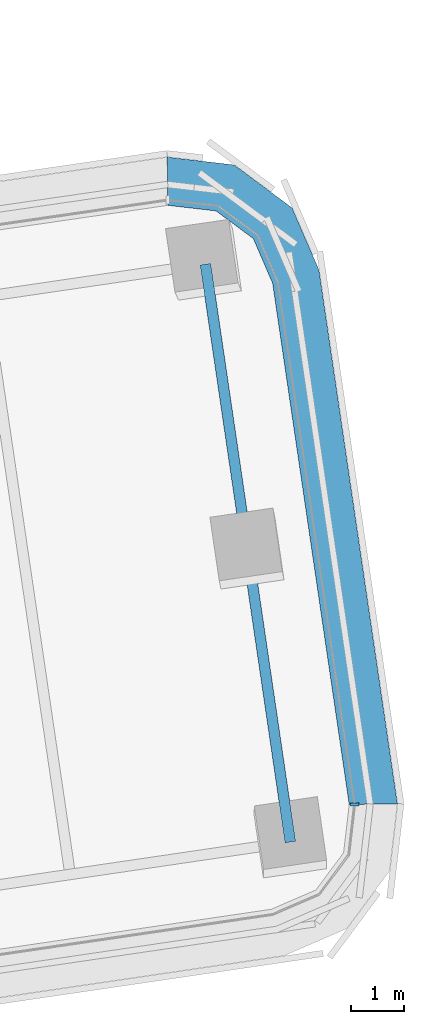
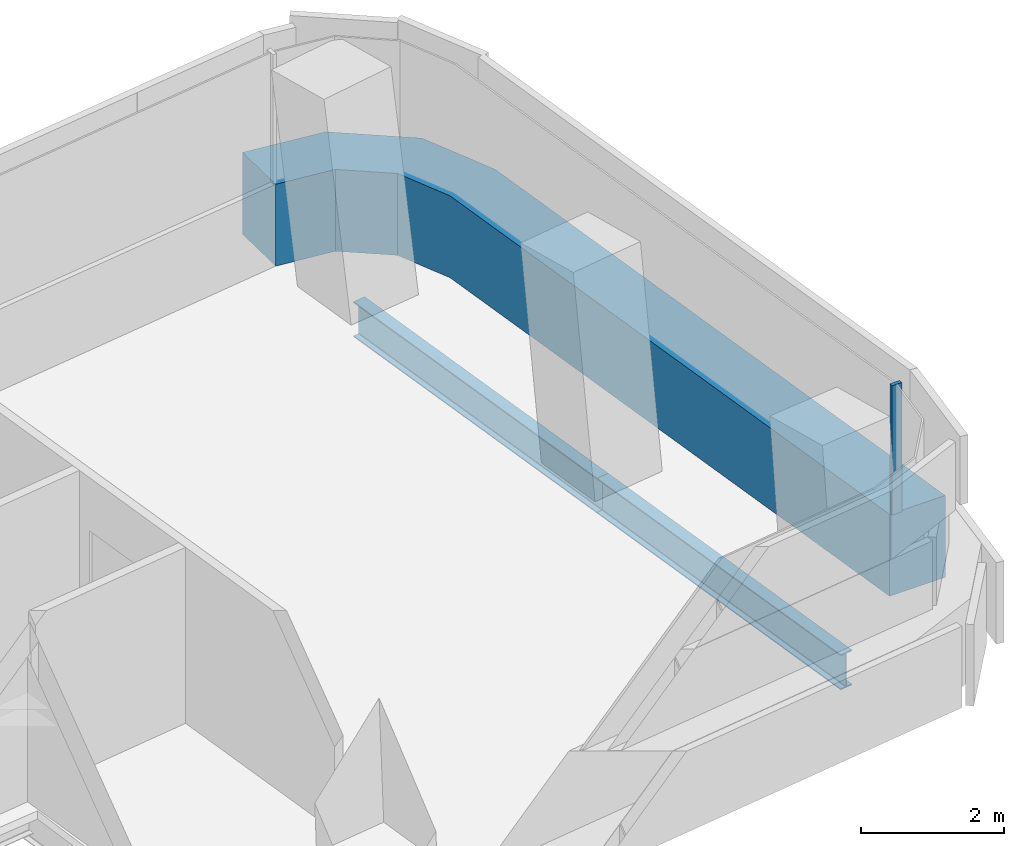
# One storey, part 12 of 31: 2 beams, 2 members, 1 element without a shape of its own.
"""IFC4 building model written with IfcOpenShell, lengths in metres."""

from ifc_helpers import new_model, si_unit, direction, frame, origin, origin_2d, place, context, subcontext, project, spatial, polyline, rectangle, i_section, outline, extrude, material, layer, layer_set, material_profile, profile_set, type_object, element, aggregate, save


model = new_model("IFC4")

# Units and contexts
model_context = context("Model", 3, precision=1e-05, world=origin(), true_north=direction((0.0, 1.0)))
body_context = subcontext(model_context, "Body", "Model", "MODEL_VIEW")
ifc_project = project(units=[si_unit("LENGTHUNIT", "METRE"), si_unit("AREAUNIT", "SQUARE_METRE"), si_unit("VOLUMEUNIT", "CUBIC_METRE"), si_unit("PLANEANGLEUNIT", "RADIAN"), si_unit("MASSUNIT", "GRAM", prefix="KILO")], contexts=[model_context])

# Site, building, storey
site_placement = place(None, origin())
site = spatial("IfcSite", under=ifc_project, at=site_placement, CompositionType="ELEMENT")
building_placement = place(site_placement, origin())
building = spatial("IfcBuilding", under=site, at=building_placement, Name="Tamarind Cross Interchange Tower", CompositionType="ELEMENT")
storey_placement = place(building_placement, frame((0.0, 0.0, 64.0)))
storey = spatial("IfcBuildingStorey", under=building, at=storey_placement, Name="L14", CompositionType="ELEMENT", Elevation=64.0)

# Beams
ifc_material_1 = material(Name="Steel Q355B", Category="steel")
ifc_material_profile_1 = material_profile(ifc_material_1, i_section(OverallWidth=0.199951171875, OverallDepth=0.60009765625, WebThickness=0.010986328125, FlangeThickness=0.01708984375, FilletRadius=0.012939453125, at=origin_2d()), Name="HN 600x200x11x17")
ifc_profile_set_1 = profile_set([ifc_material_profile_1], Name="Steel Q355B")
beam_type = type_object("IfcBeamType", Name="Composite beam HN 600x200x11x17 Q355B", PredefinedType="BEAM", material=ifc_profile_set_1)
for number, where, z_axis, x_axis, name in (
    (1, (48.209228515625, -1.708251953125, -0.43994140625), (-0.145329137033, 0.98938336449, 0.0), (-0.98938336449, -0.145329137033, 0.0), "Beam E-tip0"),
    (2, (47.409912109375, 3.7333984375, -0.43994140625), (-0.145372587958, 0.98937698107, 0.0), (-0.98937698107, -0.145372587958, 0.0), "Beam E-tip1"),
):
    element("IfcBeam", number, at=place(storey_placement, frame(where, z_axis=z_axis, x_axis=x_axis)), inside=storey, type_object=beam_type, Name=name, PredefinedType="BEAM", context=body_context, shape_type="SweptSolid", body=[
        extrude(i_section(OverallWidth=0.199951171875, OverallDepth=0.60009765625, WebThickness=0.010986328125, FlangeThickness=0.01708984375, FilletRadius=0.012939453125, at=origin_2d()), origin(), (0.0, 0.0, 1.0), 5.5),
    ])

# Curtain wall, members
ifc_material_2 = material(Name="Aluminium 6063-T6", Category="aluminium")
ifc_layer = layer(ifc_material_2, 0.159912109375)
ifc_layer_set = layer_set([ifc_layer], Name="Aluminium 6063-T6")
curtain_wall_type = type_object("IfcCurtainWallType", Name="Office curtain wall, 9.0 m bays", PredefinedType="NOTDEFINED", material=ifc_layer_set)
curtain_wall_placement = place(storey_placement, origin())
curtain_wall = element("IfcCurtainWall", 3, at=curtain_wall_placement, inside=storey, type_object=curtain_wall_type, Name="CWS-L14-08", PredefinedType="NOTDEFINED")
ifc_material_3 = material(Name="Aluminium and insulated spandrel panel", Category="aluminium")
member_type_1 = type_object("IfcMemberType", Name="Floor-edge blade transom", PredefinedType="USERDEFINED", material=ifc_material_3)
member_1_placement = place(storey_placement, origin())
member_1 = element("IfcMember", 4, at=member_1_placement, type_object=member_type_1, Name="CWT-L14-08", ObjectType="TRANSOM", PredefinedType="USERDEFINED", context=body_context, shape_type="SweptSolid", body=[
    extrude(outline(polyline([(49.318115234375, -1.0), (47.8759765625, 8.815673828125), (47.51318359375, 9.656005859375), (46.811279296875, 10.177978515625), (45.90185546875, 10.28369140625), (45.888916015625, 11.19140625), (47.155029296875, 11.0439453125), (48.24365234375, 10.234130859375), (48.749267578125, 9.063720703125), (50.225830078125, -0.986328125), (49.318115234375, -1.0)])), origin(), (0.0, 0.0, 1.0), 1.39990234375),
])
ifc_material_profile_2 = material_profile(ifc_material_2, rectangle(XDim=0.06005859375, YDim=0.159912109375, at=origin_2d()), Name="Mullion CW1")
ifc_profile_set_2 = profile_set([ifc_material_profile_2], Name="Aluminium 6063-T6")
member_type_2 = type_object("IfcMemberType", Name="Mullion CW1", PredefinedType="MULLION", material=ifc_profile_set_2)
member_2_placement = place(storey_placement, frame((49.4189453125, -0.99853515625, 1.39990234375), z_axis=(0.0, 0.0, 1.0), x_axis=(-0.014981345838, 0.999887773341, 0.0)))
member_2 = element("IfcMember", 5, at=member_2_placement, type_object=member_type_2, Name="CWM-L14-08-00", PredefinedType="MULLION", context=body_context, shape_type="SweptSolid", body=[
    extrude(rectangle(XDim=0.06005859375, YDim=0.159912109375, at=origin_2d()), origin(), (0.0, 0.0, 1.0), 2.210205078125),
])
aggregate(curtain_wall, [member_2, member_1])

save(model, "model.ifc")
